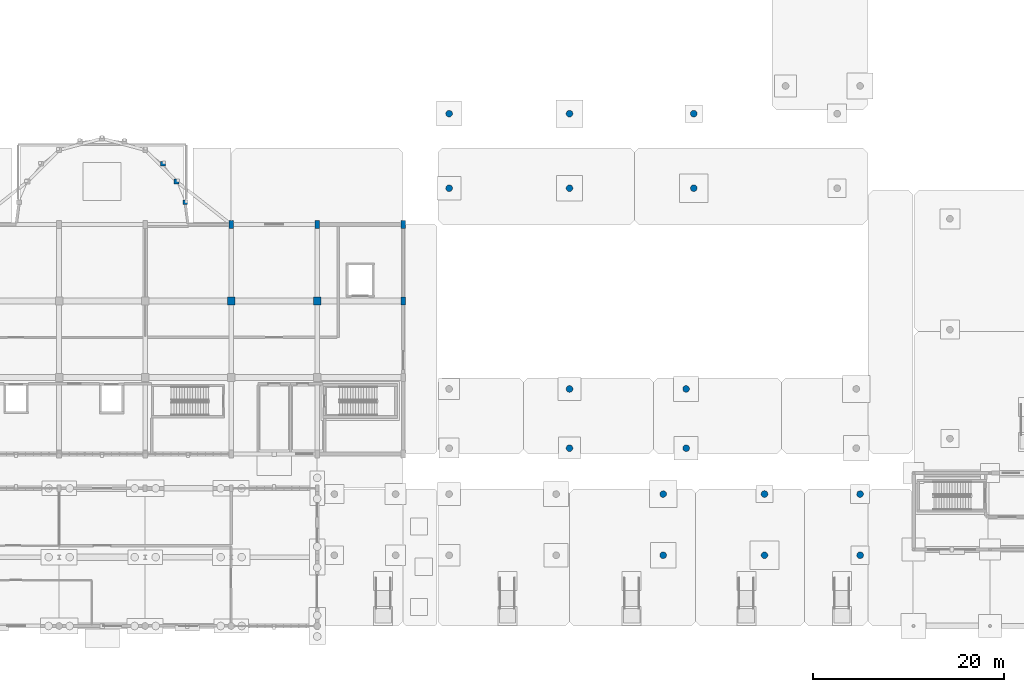
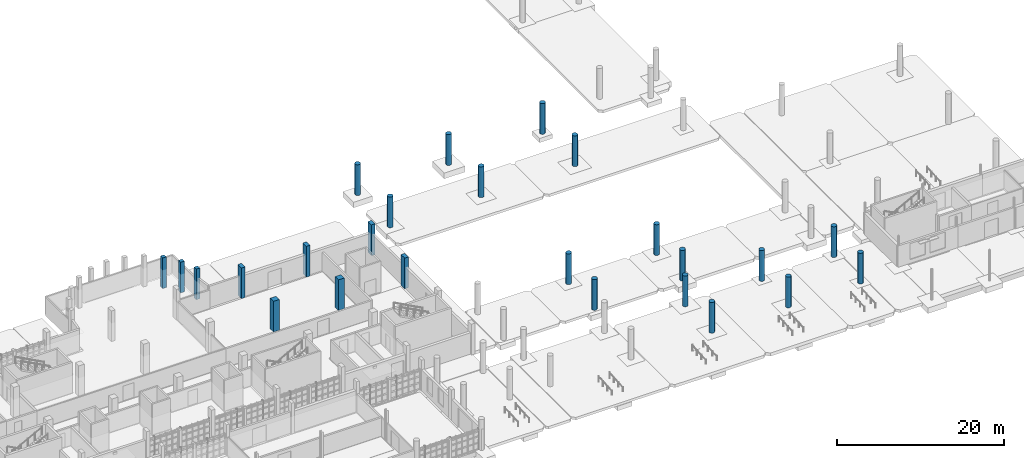
# One storey, part 8 of 63: 25 columns.
"""IFC4 building model written with IfcOpenShell, lengths in metres."""

from ifc_helpers import new_model, si_unit, direction, frame, origin, origin_2d, place, context, subcontext, project, spatial, rectangle, circle, extrude, material, material_profile, profile_set, type_object, element, save


model = new_model("IFC4")

# Units and contexts
model_context = context("Model", 3, precision=1e-05, world=origin(), true_north=direction((0.0, 1.0)))
body_context = subcontext(model_context, "Body", "Model", "MODEL_VIEW")
ifc_project = project(units=[si_unit("LENGTHUNIT", "METRE"), si_unit("AREAUNIT", "SQUARE_METRE"), si_unit("VOLUMEUNIT", "CUBIC_METRE"), si_unit("PLANEANGLEUNIT", "RADIAN"), si_unit("MASSUNIT", "GRAM", prefix="KILO")], contexts=[model_context])

# Site, building, storey
site_placement = place(None, origin())
site = spatial("IfcSite", under=ifc_project, at=site_placement, CompositionType="ELEMENT")
building_placement = place(site_placement, origin())
building = spatial("IfcBuilding", under=site, at=building_placement, Name="Serraforn Aerial Cableway Station", CompositionType="ELEMENT")
storey_placement = place(building_placement, origin())
storey = spatial("IfcBuildingStorey", under=building, at=storey_placement, Name="L00", CompositionType="ELEMENT", Elevation=0.0)

# Columns
ifc_material_1 = material(Name="Concrete C35/45", Category="concrete")
ifc_material_profile_1 = material_profile(ifc_material_1, rectangle(XDim=0.5, YDim=0.5, at=origin_2d()), Name="RC 500x500")
ifc_profile_set_1 = profile_set([ifc_material_profile_1], Name="Concrete C35/45")
column_type_1 = type_object("IfcColumnType", Name="COL-RC-500E", PredefinedType="COLUMN", material=ifc_profile_set_1)
for number, where, z_axis, x_axis, name in (
    (1, (65.464111328125, 48.364013671875, 0.0), (0.0, 0.0, 1.0), (1.0, 0.0, 0.0), "Apse Radial Column L00-9"),
    (2, (66.894287109375, 46.5, 0.0), (0.0, 0.0, 1.0), (1.0, 0.0, 0.0), "Apse Radial Column L00-10"),
    (3, (67.793212890625, 44.329345703125, 0.0), (0.0, 0.0, 1.0), (1.0, 0.0, 0.0), "Apse Radial Column L00-11"),
):
    element("IfcColumn", number, at=place(storey_placement, frame(where, z_axis=z_axis, x_axis=x_axis)), inside=storey, type_object=column_type_1, Name=name, PredefinedType="COLUMN", context=body_context, shape_type="SweptSolid", body=[
        extrude(rectangle(XDim=0.5, YDim=0.5, at=origin_2d()), origin(), (0.0, 0.0, 1.0), 4.5),
    ])
ifc_material_2 = material(Name="Concrete C40/50", Category="concrete")
ifc_material_profile_2 = material_profile(ifc_material_2, rectangle(XDim=0.5, YDim=0.85009765625, at=origin_2d()), Name="RC 500x850")
ifc_profile_set_2 = profile_set([ifc_material_profile_2], Name="Concrete C40/50")
column_type_2 = type_object("IfcColumnType", Name="COL-RC-500x850", PredefinedType="COLUMN", material=ifc_profile_set_2)
for number, where, z_axis, x_axis, name in (
    (4, (72.60009765625, 42.0, 0.0), (0.0, 0.0, 1.0), (1.0, 0.0, 0.0), "Column CV L00 10-F"),
    (5, (81.60009765625, 42.0, 0.0), (0.0, 0.0, 1.0), (1.0, 0.0, 0.0), "Column CV L00 11-F"),
    (6, (90.60009765625, 34.0, 0.0), (0.0, 0.0, 1.0), (1.0, 0.0, 0.0), "Column CV L00 12-D2"),
    (7, (90.60009765625, 42.0, 0.0), (0.0, 0.0, 1.0), (1.0, 0.0, 0.0), "Column CV L00 12-F"),
):
    element("IfcColumn", number, at=place(storey_placement, frame(where, z_axis=z_axis, x_axis=x_axis)), inside=storey, type_object=column_type_2, Name=name, PredefinedType="COLUMN", context=body_context, shape_type="SweptSolid", body=[
        extrude(rectangle(XDim=0.5, YDim=0.85009765625, at=origin_2d()), origin(), (0.0, 0.0, 1.0), 4.5),
    ])
ifc_material_profile_3 = material_profile(ifc_material_2, rectangle(XDim=0.800048828125, YDim=0.800048828125, at=origin_2d()), Name="RC 800x800")
ifc_profile_set_3 = profile_set([ifc_material_profile_3], Name="Concrete C40/50")
column_type_3 = type_object("IfcColumnType", Name="COL-RC-800", PredefinedType="COLUMN", material=ifc_profile_set_3)
for number, where, z_axis, x_axis, name in (
    (8, (72.60009765625, 34.0, 0.0), (0.0, 0.0, 1.0), (1.0, 0.0, 0.0), "Column CV L00 10-D2"),
    (9, (81.60009765625, 34.0, 0.0), (0.0, 0.0, 1.0), (1.0, 0.0, 0.0), "Column CV L00 11-D2"),
):
    element("IfcColumn", number, at=place(storey_placement, frame(where, z_axis=z_axis, x_axis=x_axis)), inside=storey, type_object=column_type_3, Name=name, PredefinedType="COLUMN", context=body_context, shape_type="SweptSolid", body=[
        extrude(rectangle(XDim=0.800048828125, YDim=0.800048828125, at=origin_2d()), origin(), (0.0, 0.0, 1.0), 4.5),
    ])
ifc_material_profile_4 = material_profile(ifc_material_1, circle(Radius=0.35009765625, at=origin_2d()), Name="RC D700")
ifc_profile_set_4 = profile_set([ifc_material_profile_4], Name="Concrete C35/45")
column_type_4 = type_object("IfcColumnType", Name="COL-RC-D700", PredefinedType="COLUMN", material=ifc_profile_set_4)
for number, where, z_axis, x_axis, name in (
    (10, (117.800048828125, 7.39990234375, 0.0), (0.0, 0.0, 1.0), (1.0, 0.0, 0.0), "Art Deco Colonnade Pier S-3-1"),
    (11, (117.800048828125, 13.800048828125, 0.0), (0.0, 0.0, 1.0), (1.0, 0.0, 0.0), "Art Deco Colonnade Pier S-3-2"),
    (12, (128.39990234375, 7.39990234375, 0.0), (0.0, 0.0, 1.0), (1.0, 0.0, 0.0), "Art Deco Colonnade Pier S-4-1"),
    (13, (128.39990234375, 13.800048828125, 0.0), (0.0, 0.0, 1.0), (1.0, 0.0, 0.0), "Art Deco Colonnade Pier S-4-2"),
    (14, (138.39990234375, 7.39990234375, 0.0), (0.0, 0.0, 1.0), (1.0, 0.0, 0.0), "Art Deco Colonnade Pier S-5-1"),
    (15, (138.39990234375, 13.800048828125, 0.0), (0.0, 0.0, 1.0), (1.0, 0.0, 0.0), "Art Deco Colonnade Pier S-5-2"),
    (16, (108.0, 18.60009765625, 0.0), (0.0, 0.0, 1.0), (1.0, 0.0, 0.0), "Art Deco Colonnade Pier C-2-1"),
    (17, (108.0, 24.800048828125, 0.0), (0.0, 0.0, 1.0), (1.0, 0.0, 0.0), "Art Deco Colonnade Pier C-2-2"),
    (18, (120.199951171875, 18.60009765625, 0.0), (0.0, 0.0, 1.0), (1.0, 0.0, 0.0), "Art Deco Colonnade Pier C-3-1"),
    (19, (120.199951171875, 24.800048828125, 0.0), (0.0, 0.0, 1.0), (1.0, 0.0, 0.0), "Art Deco Colonnade Pier C-3-2"),
    (20, (95.39990234375, 45.800048828125, 0.0), (0.0, 0.0, 1.0), (1.0, 0.0, 0.0), "Art Deco Colonnade Pier NP-1-1"),
    (21, (95.39990234375, 53.60009765625, 0.0), (0.0, 0.0, 1.0), (1.0, 0.0, 0.0), "Art Deco Colonnade Pier NP-1-2"),
    (22, (108.0, 45.800048828125, 0.0), (0.0, 0.0, 1.0), (1.0, 0.0, 0.0), "Art Deco Colonnade Pier NP-2-1"),
    (23, (108.0, 53.60009765625, 0.0), (0.0, 0.0, 1.0), (1.0, 0.0, 0.0), "Art Deco Colonnade Pier NP-2-2"),
    (24, (121.0, 45.800048828125, 0.0), (0.0, 0.0, 1.0), (1.0, 0.0, 0.0), "Art Deco Colonnade Pier NP-3-1"),
    (25, (121.0, 53.60009765625, 0.0), (0.0, 0.0, 1.0), (1.0, 0.0, 0.0), "Art Deco Colonnade Pier NP-3-2"),
):
    element("IfcColumn", number, at=place(storey_placement, frame(where, z_axis=z_axis, x_axis=x_axis)), inside=storey, type_object=column_type_4, Name=name, PredefinedType="COLUMN", context=body_context, shape_type="SweptSolid", body=[
        extrude(circle(Radius=0.35009765625, at=origin_2d()), origin(), (0.0, 0.0, 1.0), 4.5),
    ])

save(model, "model.ifc")
